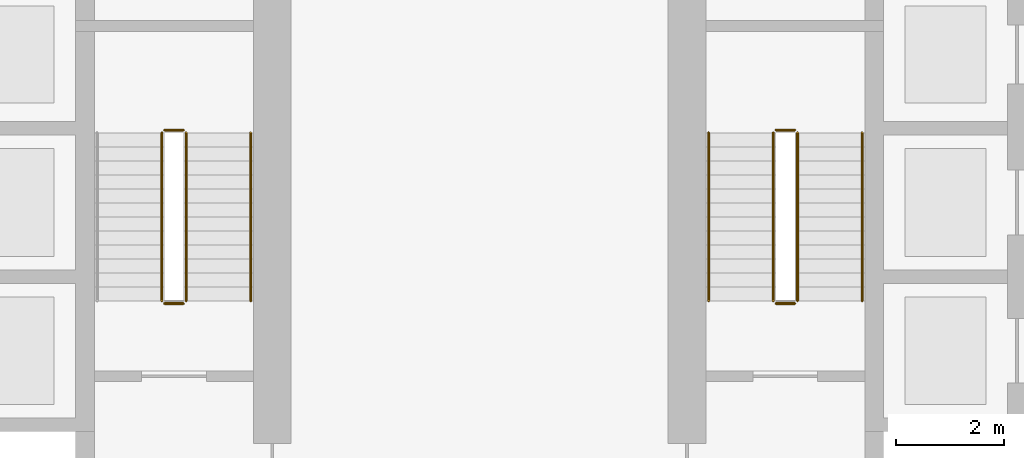
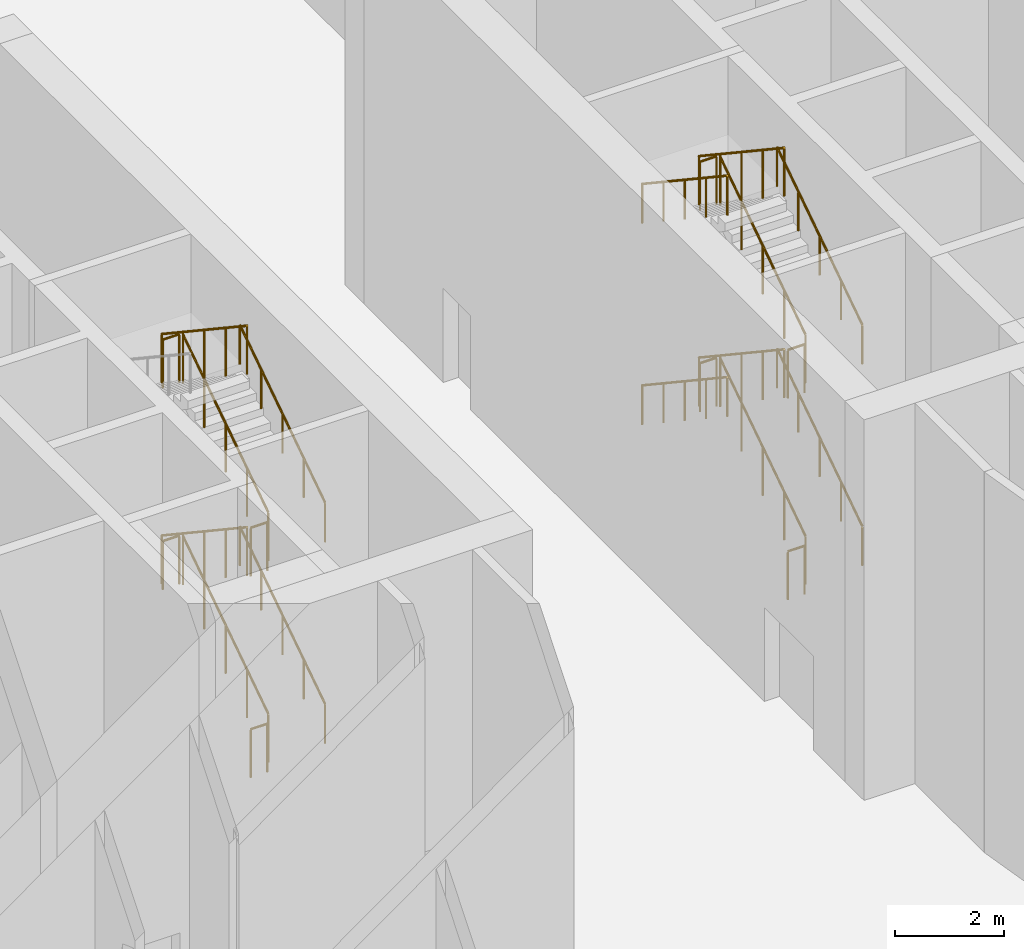
# One storey, part 43 of 54: 22 railings.
"""IFC4 building model written with IfcOpenShell, lengths in metres."""

from ifc_helpers import new_model, si_unit, direction, frame, origin, origin_2d, place, context, subcontext, project, spatial, circle, extrude, material, type_object, element, save


model = new_model("IFC4")

# Units and contexts
model_context = context("Model", 3, precision=1e-05, world=origin(), true_north=direction((0.0, 1.0)))
body_context = subcontext(model_context, "Body", "Model", "MODEL_VIEW")
ifc_project = project(units=[si_unit("LENGTHUNIT", "METRE"), si_unit("AREAUNIT", "SQUARE_METRE"), si_unit("VOLUMEUNIT", "CUBIC_METRE"), si_unit("PLANEANGLEUNIT", "RADIAN"), si_unit("MASSUNIT", "GRAM", prefix="KILO")], contexts=[model_context])

# Site, building, storey
site_placement = place(None, origin())
site = spatial("IfcSite", under=ifc_project, at=site_placement, CompositionType="ELEMENT")
building_placement = place(site_placement, origin())
building = spatial("IfcBuilding", under=site, at=building_placement, Name="Tamarind Cross Interchange Tower", CompositionType="ELEMENT")
storey_placement = place(building_placement, origin())
storey = spatial("IfcBuildingStorey", under=building, at=storey_placement, Name="L00", CompositionType="ELEMENT", Elevation=0.0)

# Railings
ifc_material_1 = material(Name="Stair guard")
railing_type_1 = type_object("IfcRailingType", Name="Stair guard", PredefinedType="GUARDRAIL", material=ifc_material_1)
railing_1_placement = place(storey_placement, frame((-5.449951171875, -3.199951171875, 0.173095703125)))
element("IfcRailing", 1, at=railing_1_placement, inside=storey, type_object=railing_type_1, Name="L00 ST1 stair guard 1", PredefinedType="GUARDRAIL", context=body_context, shape_type="SweptSolid", body=[
    extrude(circle(Radius=0.02392578125, at=origin_2d()), frame((0.0, 0.0, 1.076171875), z_axis=(0.0, 0.832420903958, 0.554143879018), x_axis=(-1.0, 0.0, 0.0)), (0.0, 0.0, 1.0), 3.748046875),
    extrude(circle(Radius=0.02099609375, at=origin_2d()), origin(), (0.0, 0.0, 1.0), 1.052001953125),
    extrude(circle(Radius=0.02099609375, at=origin_2d()), frame((0.0, 0.780029296875, 0.519287109375)), (0.0, 0.0, 1.0), 1.052001953125),
    extrude(circle(Radius=0.02099609375, at=origin_2d()), frame((0.0, 1.56005859375, 1.03857421875)), (0.0, 0.0, 1.0), 1.052001953125),
    extrude(circle(Radius=0.02099609375, at=origin_2d()), frame((0.0, 2.33984375, 1.5576171875)), (0.0, 0.0, 1.0), 1.052001953125),
    extrude(circle(Radius=0.02099609375, at=origin_2d()), frame((0.0, 3.119873046875, 2.076904296875)), (0.0, 0.0, 1.0), 1.052001953125),
])
railing_2_placement = place(storey_placement, frame((-5.5, -0.030029296875, 2.25)))
element("IfcRailing", 2, at=railing_2_placement, inside=storey, type_object=railing_type_1, Name="L00 ST1 stair guard 2", PredefinedType="GUARDRAIL", context=body_context, shape_type="SweptSolid", body=[
    extrude(circle(Radius=0.02392578125, at=origin_2d()), frame((0.0, 0.0, 1.076171875), z_axis=(-1.0, 0.0, 0.0), x_axis=(0.0, -1.0, 0.0)), (0.0, 0.0, 1.0), 0.35009765625),
    extrude(circle(Radius=0.02099609375, at=origin_2d()), origin(), (0.0, 0.0, 1.0), 1.052001953125),
    extrude(circle(Radius=0.02099609375, at=origin_2d()), frame((-0.35009765625, 0.0, 0.0)), (0.0, 0.0, 1.0), 1.052001953125),
])
railing_3_placement = place(storey_placement, frame((-5.89990234375, -0.080078125, 2.423095703125)))
element("IfcRailing", 3, at=railing_3_placement, inside=storey, type_object=railing_type_1, Name="L00 ST1 stair guard 3", PredefinedType="GUARDRAIL", context=body_context, shape_type="SweptSolid", body=[
    extrude(circle(Radius=0.02392578125, at=origin_2d()), frame((0.0, 0.0, 1.076171875), z_axis=(0.0, -0.832420903958, 0.554143879018), x_axis=(1.0, 0.0, 0.0)), (0.0, 0.0, 1.0), 3.748046875),
    extrude(circle(Radius=0.02099609375, at=origin_2d()), origin(), (0.0, 0.0, 1.0), 1.052001953125),
    extrude(circle(Radius=0.02099609375, at=origin_2d()), frame((0.0, -0.780029296875, 0.519287109375)), (0.0, 0.0, 1.0), 1.052001953125),
    extrude(circle(Radius=0.02099609375, at=origin_2d()), frame((0.0, -1.56005859375, 1.03857421875)), (0.0, 0.0, 1.0), 1.052001953125),
    extrude(circle(Radius=0.02099609375, at=origin_2d()), frame((0.0, -2.33984375, 1.5576171875)), (0.0, 0.0, 1.0), 1.052001953125),
    extrude(circle(Radius=0.02099609375, at=origin_2d()), frame((0.0, -3.119873046875, 2.076904296875)), (0.0, 0.0, 1.0), 1.052001953125),
])
railing_4_placement = place(storey_placement, frame((-5.5, -3.25, 4.5)))
element("IfcRailing", 4, at=railing_4_placement, inside=storey, type_object=railing_type_1, Name="L00 ST1 stair guard 4", PredefinedType="GUARDRAIL", context=body_context, shape_type="SweptSolid", body=[
    extrude(circle(Radius=0.02392578125, at=origin_2d()), frame((0.0, 0.0, 1.076171875), z_axis=(-1.0, 0.0, 0.0), x_axis=(0.0, -1.0, 0.0)), (0.0, 0.0, 1.0), 0.35009765625),
    extrude(circle(Radius=0.02099609375, at=origin_2d()), origin(), (0.0, 0.0, 1.0), 1.052001953125),
    extrude(circle(Radius=0.02099609375, at=origin_2d()), frame((-0.35009765625, 0.0, 0.0)), (0.0, 0.0, 1.0), 1.052001953125),
])
railing_5_placement = place(storey_placement, frame((-5.449951171875, -3.199951171875, 4.673095703125)))
element("IfcRailing", 5, at=railing_5_placement, inside=storey, type_object=railing_type_1, Name="L00 ST1 stair guard 5", PredefinedType="GUARDRAIL", context=body_context, shape_type="SweptSolid", body=[
    extrude(circle(Radius=0.02392578125, at=origin_2d()), frame((0.0, 0.0, 1.076171875), z_axis=(0.0, 0.832420903958, 0.554143879018), x_axis=(-1.0, 0.0, 0.0)), (0.0, 0.0, 1.0), 3.748046875),
    extrude(circle(Radius=0.02099609375, at=origin_2d()), origin(), (0.0, 0.0, 1.0), 1.052001953125),
    extrude(circle(Radius=0.02099609375, at=origin_2d()), frame((0.0, 0.780029296875, 0.519287109375)), (0.0, 0.0, 1.0), 1.052001953125),
    extrude(circle(Radius=0.02099609375, at=origin_2d()), frame((0.0, 1.56005859375, 1.03857421875)), (0.0, 0.0, 1.0), 1.052001953125),
    extrude(circle(Radius=0.02099609375, at=origin_2d()), frame((0.0, 2.33984375, 1.5576171875)), (0.0, 0.0, 1.0), 1.052001953125),
    extrude(circle(Radius=0.02099609375, at=origin_2d()), frame((0.0, 3.119873046875, 2.076904296875)), (0.0, 0.0, 1.0), 1.052001953125),
])
railing_6_placement = place(storey_placement, frame((-5.5, -0.030029296875, 6.75)))
element("IfcRailing", 6, at=railing_6_placement, inside=storey, type_object=railing_type_1, Name="L00 ST1 stair guard 6", PredefinedType="GUARDRAIL", context=body_context, shape_type="SweptSolid", body=[
    extrude(circle(Radius=0.02392578125, at=origin_2d()), frame((0.0, 0.0, 1.076171875), z_axis=(-1.0, 0.0, 0.0), x_axis=(0.0, -1.0, 0.0)), (0.0, 0.0, 1.0), 0.35009765625),
    extrude(circle(Radius=0.02099609375, at=origin_2d()), origin(), (0.0, 0.0, 1.0), 1.052001953125),
    extrude(circle(Radius=0.02099609375, at=origin_2d()), frame((-0.35009765625, 0.0, 0.0)), (0.0, 0.0, 1.0), 1.052001953125),
])
railing_7_placement = place(storey_placement, frame((-5.89990234375, -0.080078125, 6.923095703125)))
element("IfcRailing", 7, at=railing_7_placement, inside=storey, type_object=railing_type_1, Name="L00 ST1 stair guard 7", PredefinedType="GUARDRAIL", context=body_context, shape_type="SweptSolid", body=[
    extrude(circle(Radius=0.02392578125, at=origin_2d()), frame((0.0, 0.0, 1.076171875), z_axis=(0.0, -0.832420903958, 0.554143879018), x_axis=(1.0, 0.0, 0.0)), (0.0, 0.0, 1.0), 3.748046875),
    extrude(circle(Radius=0.02099609375, at=origin_2d()), origin(), (0.0, 0.0, 1.0), 1.052001953125),
    extrude(circle(Radius=0.02099609375, at=origin_2d()), frame((0.0, -0.780029296875, 0.519287109375)), (0.0, 0.0, 1.0), 1.052001953125),
    extrude(circle(Radius=0.02099609375, at=origin_2d()), frame((0.0, -1.56005859375, 1.03857421875)), (0.0, 0.0, 1.0), 1.052001953125),
    extrude(circle(Radius=0.02099609375, at=origin_2d()), frame((0.0, -2.33984375, 1.5576171875)), (0.0, 0.0, 1.0), 1.052001953125),
    extrude(circle(Radius=0.02099609375, at=origin_2d()), frame((0.0, -3.119873046875, 2.076904296875)), (0.0, 0.0, 1.0), 1.052001953125),
])
railing_8_placement = place(storey_placement, frame((-5.5, -3.25, 0.0)))
element("IfcRailing", 8, at=railing_8_placement, inside=storey, type_object=railing_type_1, Name="L00 ST1 stair guard 8", PredefinedType="GUARDRAIL", context=body_context, shape_type="SweptSolid", body=[
    extrude(circle(Radius=0.02392578125, at=origin_2d()), frame((0.0, 0.0, 1.076171875), z_axis=(-1.0, 0.0, 0.0), x_axis=(0.0, -1.0, 0.0)), (0.0, 0.0, 1.0), 0.35009765625),
    extrude(circle(Radius=0.02099609375, at=origin_2d()), origin(), (0.0, 0.0, 1.0), 1.052001953125),
    extrude(circle(Radius=0.02099609375, at=origin_2d()), frame((-0.35009765625, 0.0, 0.0)), (0.0, 0.0, 1.0), 1.052001953125),
])
railing_9_placement = place(storey_placement, frame((5.89990234375, -3.199951171875, 0.173095703125)))
element("IfcRailing", 9, at=railing_9_placement, inside=storey, type_object=railing_type_1, Name="L00 ST2 stair guard 1", PredefinedType="GUARDRAIL", context=body_context, shape_type="SweptSolid", body=[
    extrude(circle(Radius=0.02392578125, at=origin_2d()), frame((0.0, 0.0, 1.076171875), z_axis=(0.0, 0.832420903958, 0.554143879018), x_axis=(-1.0, 0.0, 0.0)), (0.0, 0.0, 1.0), 3.748046875),
    extrude(circle(Radius=0.02099609375, at=origin_2d()), origin(), (0.0, 0.0, 1.0), 1.052001953125),
    extrude(circle(Radius=0.02099609375, at=origin_2d()), frame((0.0, 0.780029296875, 0.519287109375)), (0.0, 0.0, 1.0), 1.052001953125),
    extrude(circle(Radius=0.02099609375, at=origin_2d()), frame((0.0, 1.56005859375, 1.03857421875)), (0.0, 0.0, 1.0), 1.052001953125),
    extrude(circle(Radius=0.02099609375, at=origin_2d()), frame((0.0, 2.33984375, 1.5576171875)), (0.0, 0.0, 1.0), 1.052001953125),
    extrude(circle(Radius=0.02099609375, at=origin_2d()), frame((0.0, 3.119873046875, 2.076904296875)), (0.0, 0.0, 1.0), 1.052001953125),
])
railing_10_placement = place(storey_placement, frame((5.85009765625, -0.030029296875, 2.25)))
element("IfcRailing", 10, at=railing_10_placement, inside=storey, type_object=railing_type_1, Name="L00 ST2 stair guard 2", PredefinedType="GUARDRAIL", context=body_context, shape_type="SweptSolid", body=[
    extrude(circle(Radius=0.02392578125, at=origin_2d()), frame((0.0, 0.0, 1.076171875), z_axis=(-1.0, 0.0, 0.0), x_axis=(0.0, -1.0, 0.0)), (0.0, 0.0, 1.0), 0.35009765625),
    extrude(circle(Radius=0.02099609375, at=origin_2d()), origin(), (0.0, 0.0, 1.0), 1.052001953125),
    extrude(circle(Radius=0.02099609375, at=origin_2d()), frame((-0.35009765625, 0.0, 0.0)), (0.0, 0.0, 1.0), 1.052001953125),
])
railing_11_placement = place(storey_placement, frame((5.449951171875, -0.080078125, 2.423095703125)))
element("IfcRailing", 11, at=railing_11_placement, inside=storey, type_object=railing_type_1, Name="L00 ST2 stair guard 3", PredefinedType="GUARDRAIL", context=body_context, shape_type="SweptSolid", body=[
    extrude(circle(Radius=0.02392578125, at=origin_2d()), frame((0.0, 0.0, 1.076171875), z_axis=(0.0, -0.832420903958, 0.554143879018), x_axis=(1.0, 0.0, 0.0)), (0.0, 0.0, 1.0), 3.748046875),
    extrude(circle(Radius=0.02099609375, at=origin_2d()), origin(), (0.0, 0.0, 1.0), 1.052001953125),
    extrude(circle(Radius=0.02099609375, at=origin_2d()), frame((0.0, -0.780029296875, 0.519287109375)), (0.0, 0.0, 1.0), 1.052001953125),
    extrude(circle(Radius=0.02099609375, at=origin_2d()), frame((0.0, -1.56005859375, 1.03857421875)), (0.0, 0.0, 1.0), 1.052001953125),
    extrude(circle(Radius=0.02099609375, at=origin_2d()), frame((0.0, -2.33984375, 1.5576171875)), (0.0, 0.0, 1.0), 1.052001953125),
    extrude(circle(Radius=0.02099609375, at=origin_2d()), frame((0.0, -3.119873046875, 2.076904296875)), (0.0, 0.0, 1.0), 1.052001953125),
])
railing_12_placement = place(storey_placement, frame((5.85009765625, -3.25, 4.5)))
element("IfcRailing", 12, at=railing_12_placement, inside=storey, type_object=railing_type_1, Name="L00 ST2 stair guard 4", PredefinedType="GUARDRAIL", context=body_context, shape_type="SweptSolid", body=[
    extrude(circle(Radius=0.02392578125, at=origin_2d()), frame((0.0, 0.0, 1.076171875), z_axis=(-1.0, 0.0, 0.0), x_axis=(0.0, -1.0, 0.0)), (0.0, 0.0, 1.0), 0.35009765625),
    extrude(circle(Radius=0.02099609375, at=origin_2d()), origin(), (0.0, 0.0, 1.0), 1.052001953125),
    extrude(circle(Radius=0.02099609375, at=origin_2d()), frame((-0.35009765625, 0.0, 0.0)), (0.0, 0.0, 1.0), 1.052001953125),
])
railing_13_placement = place(storey_placement, frame((5.89990234375, -3.199951171875, 4.673095703125)))
element("IfcRailing", 13, at=railing_13_placement, inside=storey, type_object=railing_type_1, Name="L00 ST2 stair guard 5", PredefinedType="GUARDRAIL", context=body_context, shape_type="SweptSolid", body=[
    extrude(circle(Radius=0.02392578125, at=origin_2d()), frame((0.0, 0.0, 1.076171875), z_axis=(0.0, 0.832420903958, 0.554143879018), x_axis=(-1.0, 0.0, 0.0)), (0.0, 0.0, 1.0), 3.748046875),
    extrude(circle(Radius=0.02099609375, at=origin_2d()), origin(), (0.0, 0.0, 1.0), 1.052001953125),
    extrude(circle(Radius=0.02099609375, at=origin_2d()), frame((0.0, 0.780029296875, 0.519287109375)), (0.0, 0.0, 1.0), 1.052001953125),
    extrude(circle(Radius=0.02099609375, at=origin_2d()), frame((0.0, 1.56005859375, 1.03857421875)), (0.0, 0.0, 1.0), 1.052001953125),
    extrude(circle(Radius=0.02099609375, at=origin_2d()), frame((0.0, 2.33984375, 1.5576171875)), (0.0, 0.0, 1.0), 1.052001953125),
    extrude(circle(Radius=0.02099609375, at=origin_2d()), frame((0.0, 3.119873046875, 2.076904296875)), (0.0, 0.0, 1.0), 1.052001953125),
])
railing_14_placement = place(storey_placement, frame((5.85009765625, -0.030029296875, 6.75)))
element("IfcRailing", 14, at=railing_14_placement, inside=storey, type_object=railing_type_1, Name="L00 ST2 stair guard 6", PredefinedType="GUARDRAIL", context=body_context, shape_type="SweptSolid", body=[
    extrude(circle(Radius=0.02392578125, at=origin_2d()), frame((0.0, 0.0, 1.076171875), z_axis=(-1.0, 0.0, 0.0), x_axis=(0.0, -1.0, 0.0)), (0.0, 0.0, 1.0), 0.35009765625),
    extrude(circle(Radius=0.02099609375, at=origin_2d()), origin(), (0.0, 0.0, 1.0), 1.052001953125),
    extrude(circle(Radius=0.02099609375, at=origin_2d()), frame((-0.35009765625, 0.0, 0.0)), (0.0, 0.0, 1.0), 1.052001953125),
])
railing_15_placement = place(storey_placement, frame((5.449951171875, -0.080078125, 6.923095703125)))
element("IfcRailing", 15, at=railing_15_placement, inside=storey, type_object=railing_type_1, Name="L00 ST2 stair guard 7", PredefinedType="GUARDRAIL", context=body_context, shape_type="SweptSolid", body=[
    extrude(circle(Radius=0.02392578125, at=origin_2d()), frame((0.0, 0.0, 1.076171875), z_axis=(0.0, -0.832420903958, 0.554143879018), x_axis=(1.0, 0.0, 0.0)), (0.0, 0.0, 1.0), 3.748046875),
    extrude(circle(Radius=0.02099609375, at=origin_2d()), origin(), (0.0, 0.0, 1.0), 1.052001953125),
    extrude(circle(Radius=0.02099609375, at=origin_2d()), frame((0.0, -0.780029296875, 0.519287109375)), (0.0, 0.0, 1.0), 1.052001953125),
    extrude(circle(Radius=0.02099609375, at=origin_2d()), frame((0.0, -1.56005859375, 1.03857421875)), (0.0, 0.0, 1.0), 1.052001953125),
    extrude(circle(Radius=0.02099609375, at=origin_2d()), frame((0.0, -2.33984375, 1.5576171875)), (0.0, 0.0, 1.0), 1.052001953125),
    extrude(circle(Radius=0.02099609375, at=origin_2d()), frame((0.0, -3.119873046875, 2.076904296875)), (0.0, 0.0, 1.0), 1.052001953125),
])
railing_16_placement = place(storey_placement, frame((5.85009765625, -3.25, 0.0)))
element("IfcRailing", 16, at=railing_16_placement, inside=storey, type_object=railing_type_1, Name="L00 ST2 stair guard 8", PredefinedType="GUARDRAIL", context=body_context, shape_type="SweptSolid", body=[
    extrude(circle(Radius=0.02392578125, at=origin_2d()), frame((0.0, 0.0, 1.076171875), z_axis=(-1.0, 0.0, 0.0), x_axis=(0.0, -1.0, 0.0)), (0.0, 0.0, 1.0), 0.35009765625),
    extrude(circle(Radius=0.02099609375, at=origin_2d()), origin(), (0.0, 0.0, 1.0), 1.052001953125),
    extrude(circle(Radius=0.02099609375, at=origin_2d()), frame((-0.35009765625, 0.0, 0.0)), (0.0, 0.0, 1.0), 1.052001953125),
])
ifc_material_2 = material(Name="Stair handrail")
railing_type_2 = type_object("IfcRailingType", Name="Stair handrail", PredefinedType="HANDRAIL", material=ifc_material_2)
for number, where, name in (
    (17, (-4.25, -3.199951171875, 0.173095703125), "L00 ST1 stair handrail 1"),
    (18, (-4.25, -3.199951171875, 4.673095703125), "L00 ST1 stair handrail 3"),
    (19, (7.10009765625, -3.199951171875, 0.173095703125), "L00 ST2 stair handrail 1"),
):
    element("IfcRailing", number, at=place(storey_placement, frame(where)), inside=storey, type_object=railing_type_2, Name=name, PredefinedType="HANDRAIL", context=body_context, shape_type="SweptSolid", body=[
        extrude(circle(Radius=0.02392578125, at=origin_2d()), frame((0.0, 0.0, 0.8759765625), z_axis=(0.0, 0.832420903958, 0.554143879018), x_axis=(-1.0, 0.0, 0.0)), (0.0, 0.0, 1.0), 3.748046875),
        extrude(circle(Radius=0.02099609375, at=origin_2d()), origin(), (0.0, 0.0, 1.0), 0.851806640625),
        extrude(circle(Radius=0.02099609375, at=origin_2d()), frame((0.0, 0.780029296875, 0.519287109375)), (0.0, 0.0, 1.0), 0.851806640625),
        extrude(circle(Radius=0.02099609375, at=origin_2d()), frame((0.0, 1.56005859375, 1.03857421875)), (0.0, 0.0, 1.0), 0.851806640625),
        extrude(circle(Radius=0.02099609375, at=origin_2d()), frame((0.0, 2.33984375, 1.5576171875)), (0.0, 0.0, 1.0), 0.851806640625),
        extrude(circle(Radius=0.02099609375, at=origin_2d()), frame((0.0, 3.119873046875, 2.076904296875)), (0.0, 0.0, 1.0), 0.851806640625),
    ])
railing_17_placement = place(storey_placement, frame((4.25, -0.080078125, 2.423095703125)))
element("IfcRailing", 20, at=railing_17_placement, inside=storey, type_object=railing_type_2, Name="L00 ST2 stair handrail 2", PredefinedType="HANDRAIL", context=body_context, shape_type="SweptSolid", body=[
    extrude(circle(Radius=0.02392578125, at=origin_2d()), frame((0.0, 0.0, 0.8759765625), z_axis=(0.0, -0.832420903958, 0.554143879018), x_axis=(1.0, 0.0, 0.0)), (0.0, 0.0, 1.0), 3.748046875),
    extrude(circle(Radius=0.02099609375, at=origin_2d()), origin(), (0.0, 0.0, 1.0), 0.851806640625),
    extrude(circle(Radius=0.02099609375, at=origin_2d()), frame((0.0, -0.780029296875, 0.519287109375)), (0.0, 0.0, 1.0), 0.851806640625),
    extrude(circle(Radius=0.02099609375, at=origin_2d()), frame((0.0, -1.56005859375, 1.03857421875)), (0.0, 0.0, 1.0), 0.851806640625),
    extrude(circle(Radius=0.02099609375, at=origin_2d()), frame((0.0, -2.33984375, 1.5576171875)), (0.0, 0.0, 1.0), 0.851806640625),
    extrude(circle(Radius=0.02099609375, at=origin_2d()), frame((0.0, -3.119873046875, 2.076904296875)), (0.0, 0.0, 1.0), 0.851806640625),
])
railing_18_placement = place(storey_placement, frame((7.10009765625, -3.199951171875, 4.673095703125)))
element("IfcRailing", 21, at=railing_18_placement, inside=storey, type_object=railing_type_2, Name="L00 ST2 stair handrail 3", PredefinedType="HANDRAIL", context=body_context, shape_type="SweptSolid", body=[
    extrude(circle(Radius=0.02392578125, at=origin_2d()), frame((0.0, 0.0, 0.8759765625), z_axis=(0.0, 0.832420903958, 0.554143879018), x_axis=(-1.0, 0.0, 0.0)), (0.0, 0.0, 1.0), 3.748046875),
    extrude(circle(Radius=0.02099609375, at=origin_2d()), origin(), (0.0, 0.0, 1.0), 0.851806640625),
    extrude(circle(Radius=0.02099609375, at=origin_2d()), frame((0.0, 0.780029296875, 0.519287109375)), (0.0, 0.0, 1.0), 0.851806640625),
    extrude(circle(Radius=0.02099609375, at=origin_2d()), frame((0.0, 1.56005859375, 1.03857421875)), (0.0, 0.0, 1.0), 0.851806640625),
    extrude(circle(Radius=0.02099609375, at=origin_2d()), frame((0.0, 2.33984375, 1.5576171875)), (0.0, 0.0, 1.0), 0.851806640625),
    extrude(circle(Radius=0.02099609375, at=origin_2d()), frame((0.0, 3.119873046875, 2.076904296875)), (0.0, 0.0, 1.0), 0.851806640625),
])
railing_19_placement = place(storey_placement, frame((4.25, -0.080078125, 6.923095703125)))
element("IfcRailing", 22, at=railing_19_placement, inside=storey, type_object=railing_type_2, Name="L00 ST2 stair handrail 4", PredefinedType="HANDRAIL", context=body_context, shape_type="SweptSolid", body=[
    extrude(circle(Radius=0.02392578125, at=origin_2d()), frame((0.0, 0.0, 0.8759765625), z_axis=(0.0, -0.832420903958, 0.554143879018), x_axis=(1.0, 0.0, 0.0)), (0.0, 0.0, 1.0), 3.748046875),
    extrude(circle(Radius=0.02099609375, at=origin_2d()), origin(), (0.0, 0.0, 1.0), 0.851806640625),
    extrude(circle(Radius=0.02099609375, at=origin_2d()), frame((0.0, -0.780029296875, 0.519287109375)), (0.0, 0.0, 1.0), 0.851806640625),
    extrude(circle(Radius=0.02099609375, at=origin_2d()), frame((0.0, -1.56005859375, 1.03857421875)), (0.0, 0.0, 1.0), 0.851806640625),
    extrude(circle(Radius=0.02099609375, at=origin_2d()), frame((0.0, -2.33984375, 1.5576171875)), (0.0, 0.0, 1.0), 0.851806640625),
    extrude(circle(Radius=0.02099609375, at=origin_2d()), frame((0.0, -3.119873046875, 2.076904296875)), (0.0, 0.0, 1.0), 0.851806640625),
])

save(model, "model.ifc")
